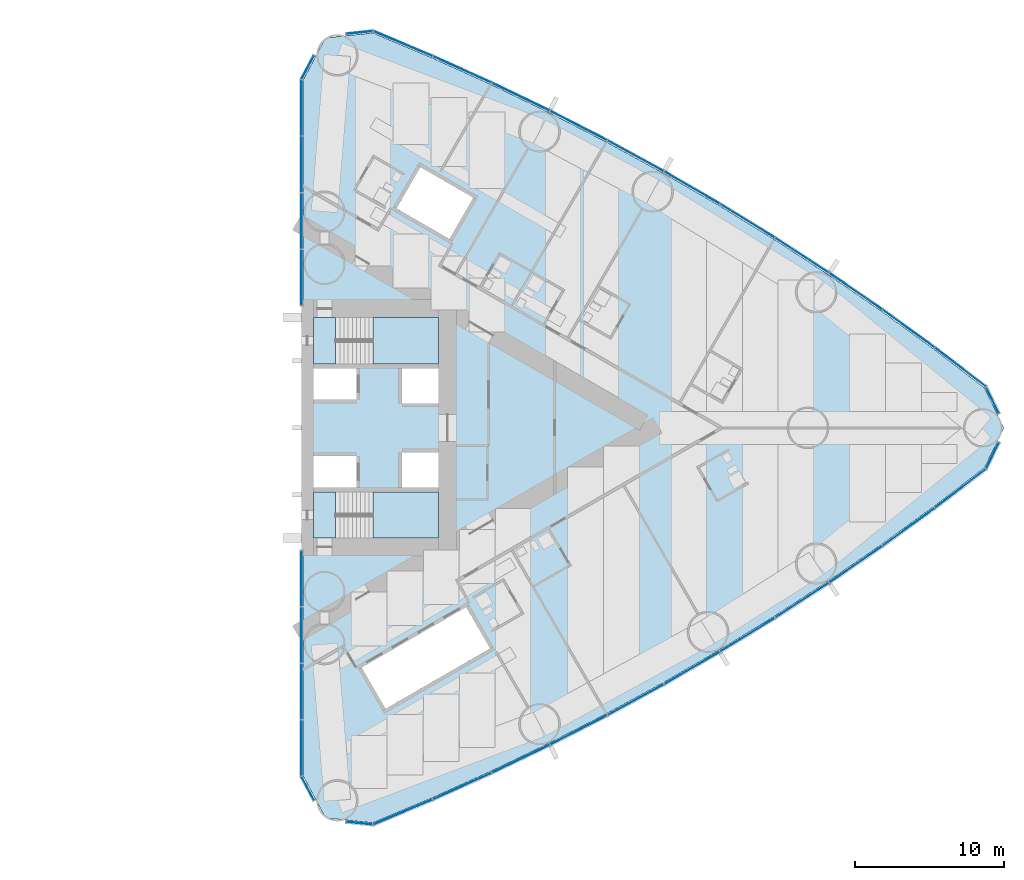
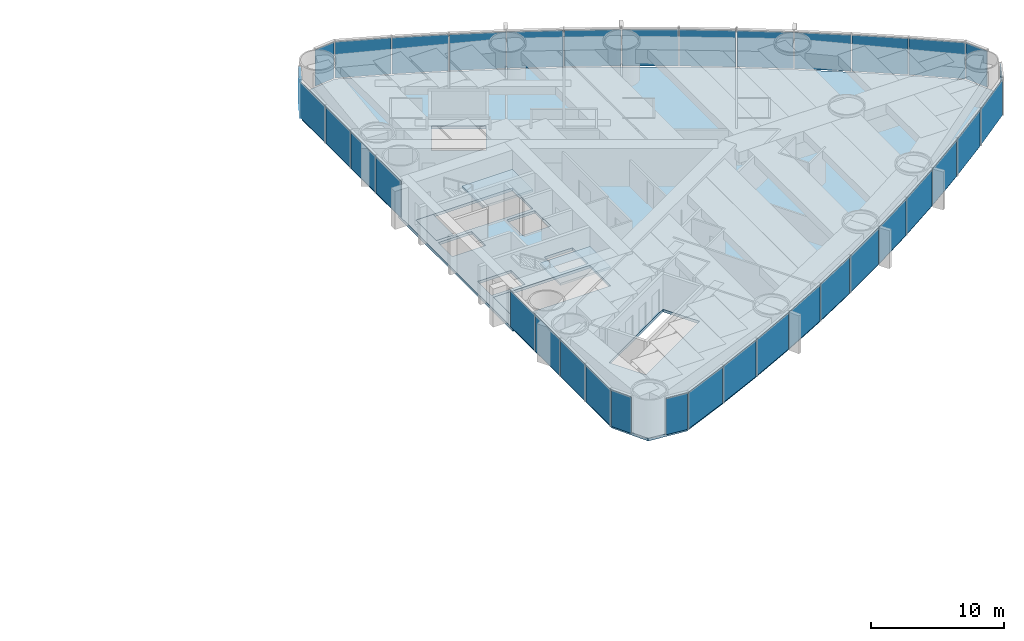
# One storey, part 10 of 18: 36 plates, 5 slabs, 6 elements without a shape of their own.
"""IFC4 building model written with IfcOpenShell, lengths in metres."""

from ifc_helpers import new_model, si_unit, direction, frame, origin, origin_2d, place, context, subcontext, project, spatial, polyline, rectangle, outline, extrude, material, layer, layer_set, type_object, element, aggregate, save


model = new_model("IFC4")

# Units and contexts
model_context = context("Model", 3, precision=1e-05, world=origin(), true_north=direction((0.0, 1.0)))
body_context = subcontext(model_context, "Body", "Model", "MODEL_VIEW")
ifc_project = project(units=[si_unit("LENGTHUNIT", "METRE"), si_unit("AREAUNIT", "SQUARE_METRE"), si_unit("VOLUMEUNIT", "CUBIC_METRE"), si_unit("PLANEANGLEUNIT", "RADIAN"), si_unit("MASSUNIT", "GRAM", prefix="KILO")], contexts=[model_context])

# Site, building, storey
site_placement = place(None, origin())
site = spatial("IfcSite", under=ifc_project, at=site_placement, CompositionType="ELEMENT")
building_placement = place(site_placement, origin())
building = spatial("IfcBuilding", under=site, at=building_placement, Name="Lancet Gate Hotel", CompositionType="ELEMENT")
storey_placement = place(building_placement, frame((0.0, 0.0, 46.0)))
storey = spatial("IfcBuildingStorey", under=building, at=storey_placement, Name="L11", CompositionType="ELEMENT", Elevation=46.0)

# Slab
ifc_material_1 = material(Name="Concrete C50/60", Category="concrete")
ifc_layer_1 = layer(ifc_material_1, 0.25)
ifc_layer_set_1 = layer_set([ifc_layer_1], Name="Floor slab 250")
slab_type_1 = type_object("IfcSlabType", Name="Floor slab 250", PredefinedType="FLOOR", material=ifc_layer_set_1)
slab_1_placement = place(storey_placement, frame((0.0, 0.0, -0.25)))
element("IfcSlab", 1, at=slab_1_placement, inside=storey, type_object=slab_type_1, Name="T2 L11 floor slab", PredefinedType="FLOOR", context=body_context, shape_type="SweptSolid", body=[
    extrude(outline(polyline([(27.5, -8.60009765625), (27.6201171875, -8.60009765625), (27.6201171875, -23.35498046875), (29.12158203125, -26.175537109375), (32.299072265625, -26.5048828125), (36.26708984375, -24.833740234375), (40.2177734375, -23.050048828125), (44.121826171875, -21.16650390625), (47.9765625, -19.18408203125), (51.77978515625, -17.104248046875), (55.528564453125, -14.92822265625), (59.220947265625, -12.657470703125), (62.854248046875, -10.29345703125), (66.42626953125, -7.837890625), (69.934814453125, -5.292236328125), (73.355712890625, -2.67431640625), (74.65576171875, 0.0), (73.355712890625, 2.67431640625), (69.934814453125, 5.292236328125), (66.42626953125, 7.837890625), (62.854248046875, 10.29345703125), (59.220947265625, 12.657470703125), (55.528564453125, 14.92822265625), (51.77978515625, 17.104248046875), (47.9765625, 19.18408203125), (44.121826171875, 21.16650390625), (40.2177734375, 23.050048828125), (36.26708984375, 24.833740234375), (32.299072265625, 26.5048828125), (29.12158203125, 26.175537109375), (27.6201171875, 23.35498046875), (27.6201171875, 8.60009765625), (27.5, 8.60009765625), (27.5, 8.199951171875), (27.5, -8.199951171875), (27.5, -8.60009765625)]), holes=[polyline([(36.699951171875, -7.39990234375), (36.699951171875, -4.300048828125), (28.300048828125, -4.300048828125), (28.300048828125, -7.39990234375), (36.699951171875, -7.39990234375)]), polyline([(28.300048828125, -4.0), (31.199951171875, -4.0), (31.199951171875, -1.89990234375), (28.300048828125, -1.89990234375), (28.300048828125, -4.0)]), polyline([(34.25, -4.0), (36.699951171875, -4.0), (36.699951171875, -1.64990234375), (34.25, -1.64990234375), (34.25, -4.0)]), polyline([(36.699951171875, 1.64990234375), (36.699951171875, 4.0), (34.25, 4.0), (34.25, 1.64990234375), (36.699951171875, 1.64990234375)]), polyline([(28.300048828125, 1.89990234375), (31.199951171875, 1.89990234375), (31.199951171875, 4.0), (28.300048828125, 4.0), (28.300048828125, 1.89990234375)]), polyline([(28.300048828125, 4.300048828125), (36.699951171875, 4.300048828125), (36.699951171875, 7.39990234375), (28.300048828125, 7.39990234375), (28.300048828125, 4.300048828125)]), polyline([(31.549072265625, -16.0810546875), (33.14892578125, -18.85205078125), (40.1640625, -14.802001953125), (38.56396484375, -12.031005859375), (31.549072265625, -16.0810546875)]), polyline([(33.887939453125, 14.73095703125), (37.43798828125, 12.680908203125), (39.0380859375, 15.451904296875), (35.488037109375, 17.501953125), (33.887939453125, 14.73095703125)])]), origin(), (0.0, 0.0, 1.0), 0.25),
])

# Stair, slabs
ifc_material_2 = material(Name="Exit stair 20 risers 1500")
stair_type = type_object("IfcStairType", Name="Exit stair 20 risers 1500", PredefinedType="HALF_TURN_STAIR", material=ifc_material_2)
stair_1_placement = place(storey_placement, origin())
stair_1 = element("IfcStair", 2, at=stair_1_placement, inside=storey, type_object=stair_type, Name="T2 stair 1 L11", PredefinedType="HALF_TURN_STAIR")
ifc_material_3 = material(Name="Concrete C40/50", Category="concrete")
ifc_layer_2 = layer(ifc_material_3, 0.199951171875)
ifc_layer_set_2 = layer_set([ifc_layer_2], Name="Stair landing 200")
slab_type_2 = type_object("IfcSlabType", Name="Stair landing 200", PredefinedType="LANDING", material=ifc_layer_set_2)
slab_2_placement = place(storey_placement, frame((0.0, 0.0, -0.199951171875)))
slab_2 = element("IfcSlab", 3, at=slab_2_placement, type_object=slab_type_2, Name="ST3 landing 1", PredefinedType="LANDING", context=body_context, shape_type="SweptSolid", body=[
    extrude(outline(polyline([(28.300048828125, -7.39990234375), (29.800048828125, -7.39990234375), (29.800048828125, -4.300048828125), (28.300048828125, -4.300048828125), (28.300048828125, -7.39990234375)])), origin(), (0.0, 0.0, 1.0), 0.199951171875),
])
slab_3_placement = place(storey_placement, frame((0.0, 0.0, 1.550048828125)))
slab_3 = element("IfcSlab", 4, at=slab_3_placement, type_object=slab_type_2, Name="ST3 landing 2", PredefinedType="LANDING", context=body_context, shape_type="SweptSolid", body=[
    extrude(outline(polyline([(32.320068359375, -7.39990234375), (36.699951171875, -7.39990234375), (36.699951171875, -4.300048828125), (32.320068359375, -4.300048828125), (32.320068359375, -7.39990234375)])), origin(), (0.0, 0.0, 1.0), 0.199951171875),
])
aggregate(stair_1, [slab_2, slab_3])

stair_2_placement = place(storey_placement, origin())
stair_2 = element("IfcStair", 5, at=stair_2_placement, inside=storey, type_object=stair_type, Name="T2 stair 2 L11", PredefinedType="HALF_TURN_STAIR")
slab_4_placement = place(storey_placement, frame((0.0, 0.0, -0.199951171875)))
slab_4 = element("IfcSlab", 6, at=slab_4_placement, type_object=slab_type_2, Name="ST4 landing 1", PredefinedType="LANDING", context=body_context, shape_type="SweptSolid", body=[
    extrude(outline(polyline([(28.300048828125, 4.300048828125), (29.800048828125, 4.300048828125), (29.800048828125, 7.39990234375), (28.300048828125, 7.39990234375), (28.300048828125, 4.300048828125)])), origin(), (0.0, 0.0, 1.0), 0.199951171875),
])
slab_5_placement = place(storey_placement, frame((0.0, 0.0, 1.550048828125)))
slab_5 = element("IfcSlab", 7, at=slab_5_placement, type_object=slab_type_2, Name="ST4 landing 2", PredefinedType="LANDING", context=body_context, shape_type="SweptSolid", body=[
    extrude(outline(polyline([(32.320068359375, 4.300048828125), (36.699951171875, 4.300048828125), (36.699951171875, 7.39990234375), (32.320068359375, 7.39990234375), (32.320068359375, 4.300048828125)])), origin(), (0.0, 0.0, 1.0), 0.199951171875),
])
aggregate(stair_2, [slab_4, slab_5])

# Curtain wall, plates
ifc_material_4 = material(Name="Aluminium curtain wall", Category="aluminium")
curtain_wall_type = type_object("IfcCurtainWallType", Name="Tower unitised curtain wall", PredefinedType="USERDEFINED", material=ifc_material_4)
curtain_wall_1_placement = place(storey_placement, origin())
curtain_wall_1 = element("IfcCurtainWall", 8, at=curtain_wall_1_placement, inside=storey, type_object=curtain_wall_type, Name="T2 L11 curtain wall 1", ObjectType="UNITISED CURTAIN WALL", PredefinedType="USERDEFINED")
ifc_material_5 = material(Name="Glass double glazed unit 8-16-6", Category="glass")
ifc_layer_3 = layer(ifc_material_5, 0.030029296875)
ifc_layer_set_3 = layer_set([ifc_layer_3], Name="Vision panel double glazed")
plate_type = type_object("IfcPlateType", Name="Vision panel double glazed", PredefinedType="CURTAIN_PANEL", material=ifc_layer_set_3)
plate_1_placement = place(storey_placement, frame((27.5, -10.09814453125, 0.0), z_axis=(0.0, 0.0, 1.0), x_axis=(0.0, -1.0, 0.0)))
plate_1 = element("IfcPlate", 9, at=plate_1_placement, type_object=plate_type, Name="T2 L11 curtain wall 1 panel 1", PredefinedType="CURTAIN_PANEL", context=body_context, shape_type="SweptSolid", body=[
    extrude(rectangle(XDim=3.731201171875, YDim=0.030029296875, at=origin_2d()), origin(), (0.0, 0.0, 1.0), 3.35009765625),
])
plate_2_placement = place(storey_placement, frame((27.5, -13.894287109375, 0.0), z_axis=(0.0, 0.0, 1.0), x_axis=(0.0, -1.0, 0.0)))
plate_2 = element("IfcPlate", 10, at=plate_2_placement, type_object=plate_type, Name="T2 L11 curtain wall 1 panel 2", PredefinedType="CURTAIN_PANEL", context=body_context, shape_type="SweptSolid", body=[
    extrude(rectangle(XDim=3.731201171875, YDim=0.030029296875, at=origin_2d()), origin(), (0.0, 0.0, 1.0), 3.35009765625),
])
plate_3_placement = place(storey_placement, frame((27.5, -17.6904296875, 0.0), z_axis=(0.0, 0.0, 1.0), x_axis=(0.0, -1.0, 0.0)))
plate_3 = element("IfcPlate", 11, at=plate_3_placement, type_object=plate_type, Name="T2 L11 curtain wall 1 panel 3", PredefinedType="CURTAIN_PANEL", context=body_context, shape_type="SweptSolid", body=[
    extrude(rectangle(XDim=3.731201171875, YDim=0.030029296875, at=origin_2d()), origin(), (0.0, 0.0, 1.0), 3.35009765625),
])
plate_4_placement = place(storey_placement, frame((27.5, -21.48681640625, 0.0), z_axis=(0.0, 0.0, 1.0), x_axis=(0.0, -1.0, 0.0)))
plate_4 = element("IfcPlate", 12, at=plate_4_placement, type_object=plate_type, Name="T2 L11 curtain wall 1 panel 4", PredefinedType="CURTAIN_PANEL", context=body_context, shape_type="SweptSolid", body=[
    extrude(rectangle(XDim=3.731201171875, YDim=0.030029296875, at=origin_2d()), origin(), (0.0, 0.0, 1.0), 3.35009765625),
])
plate_5_placement = place(storey_placement, frame((27.933349609375, -24.19873046875, 0.0), z_axis=(0.0, 0.0, 1.0), x_axis=(0.469897827284, -0.882720811987, 0.0)))
plate_5 = element("IfcPlate", 13, at=plate_5_placement, type_object=plate_type, Name="T2 L11 curtain wall 1 panel 5", PredefinedType="CURTAIN_PANEL", context=body_context, shape_type="SweptSolid", body=[
    extrude(rectangle(XDim=1.779052734375, YDim=0.030029296875, at=origin_2d()), origin(), (0.0, 0.0, 1.0), 3.35009765625),
])
aggregate(curtain_wall_1, [plate_1, plate_2, plate_3, plate_4, plate_5])

curtain_wall_2_placement = place(storey_placement, origin())
curtain_wall_2 = element("IfcCurtainWall", 14, at=curtain_wall_2_placement, inside=storey, type_object=curtain_wall_type, Name="T2 L11 curtain wall 2", ObjectType="UNITISED CURTAIN WALL", PredefinedType="USERDEFINED")
plate_6_placement = place(storey_placement, frame((31.400634765625, -26.532470703125, 0.0), z_axis=(0.0, 0.0, 1.0), x_axis=(0.994672262412, -0.10308778001, 0.0)))
plate_6 = element("IfcPlate", 15, at=plate_6_placement, type_object=plate_type, Name="T2 L11 curtain wall 2 panel 1", PredefinedType="CURTAIN_PANEL", context=body_context, shape_type="SweptSolid", body=[
    extrude(rectangle(XDim=1.7783203125, YDim=0.030029296875, at=origin_2d()), origin(), (0.0, 0.0, 1.0), 3.35009765625),
])
plate_7_placement = place(storey_placement, frame((34.316162109375, -25.78564453125, 0.0), z_axis=(0.0, 0.0, 1.0), x_axis=(0.92159330598, 0.38815689917, 0.0)))
plate_7 = element("IfcPlate", 16, at=plate_7_placement, type_object=plate_type, Name="T2 L11 curtain wall 2 panel 2", PredefinedType="CURTAIN_PANEL", context=body_context, shape_type="SweptSolid", body=[
    extrude(rectangle(XDim=4.272705078125, YDim=0.030029296875, at=origin_2d()), origin(), (0.0, 0.0, 1.0), 3.35009765625),
])
plate_8_placement = place(storey_placement, frame((38.291748046875, -24.05126953125, 0.0), z_axis=(0.0, 0.0, 1.0), x_axis=(0.911415640556, 0.41148697446, 0.0)))
plate_8 = element("IfcPlate", 17, at=plate_8_placement, type_object=plate_type, Name="T2 L11 curtain wall 2 panel 3", PredefinedType="CURTAIN_PANEL", context=body_context, shape_type="SweptSolid", body=[
    extrude(rectangle(XDim=4.272705078125, YDim=0.030029296875, at=origin_2d()), origin(), (0.0, 0.0, 1.0), 3.35009765625),
])
plate_9_placement = place(storey_placement, frame((42.221923828125, -22.21630859375, 0.0), z_axis=(0.0, 0.0, 1.0), x_axis=(0.90064748964, 0.434550456686, 0.0)))
plate_9 = element("IfcPlate", 18, at=plate_9_placement, type_object=plate_type, Name="T2 L11 curtain wall 2 panel 4", PredefinedType="CURTAIN_PANEL", context=body_context, shape_type="SweptSolid", body=[
    extrude(rectangle(XDim=4.272705078125, YDim=0.030029296875, at=origin_2d()), origin(), (0.0, 0.0, 1.0), 3.35009765625),
])
plate_10_placement = place(storey_placement, frame((46.10400390625, -20.281982421875, 0.0), z_axis=(0.0, 0.0, 1.0), x_axis=(0.889295829671, 0.457332403541, 0.0)))
plate_10 = element("IfcPlate", 19, at=plate_10_placement, type_object=plate_type, Name="T2 L11 curtain wall 2 panel 5", PredefinedType="CURTAIN_PANEL", context=body_context, shape_type="SweptSolid", body=[
    extrude(rectangle(XDim=4.272705078125, YDim=0.030029296875, at=origin_2d()), origin(), (0.0, 0.0, 1.0), 3.35009765625),
])
plate_11_placement = place(storey_placement, frame((49.935791015625, -18.249267578125, 0.0), z_axis=(0.0, 0.0, 1.0), x_axis=(0.877368015134, 0.47981805512, 0.0)))
plate_11 = element("IfcPlate", 20, at=plate_11_placement, type_object=plate_type, Name="T2 L11 curtain wall 2 panel 6", PredefinedType="CURTAIN_PANEL", context=body_context, shape_type="SweptSolid", body=[
    extrude(rectangle(XDim=4.272705078125, YDim=0.030029296875, at=origin_2d()), origin(), (0.0, 0.0, 1.0), 3.35009765625),
])
plate_12_placement = place(storey_placement, frame((53.71435546875, -16.119873046875, 0.0), z_axis=(0.0, 0.0, 1.0), x_axis=(0.864871773788, 0.501992843479, 0.0)))
plate_12 = element("IfcPlate", 21, at=plate_12_placement, type_object=plate_type, Name="T2 L11 curtain wall 2 panel 7", PredefinedType="CURTAIN_PANEL", context=body_context, shape_type="SweptSolid", body=[
    extrude(rectangle(XDim=4.272705078125, YDim=0.030029296875, at=origin_2d()), origin(), (0.0, 0.0, 1.0), 3.35009765625),
])
plate_13_placement = place(storey_placement, frame((57.437744140625, -13.89501953125, 0.0), z_axis=(0.0, 0.0, 1.0), x_axis=(0.851815201664, 0.523842402077, 0.0)))
plate_13 = element("IfcPlate", 22, at=plate_13_placement, type_object=plate_type, Name="T2 L11 curtain wall 2 panel 8", PredefinedType="CURTAIN_PANEL", context=body_context, shape_type="SweptSolid", body=[
    extrude(rectangle(XDim=4.272705078125, YDim=0.030029296875, at=origin_2d()), origin(), (0.0, 0.0, 1.0), 3.35009765625),
])
plate_14_placement = place(storey_placement, frame((61.10302734375, -11.576171875, 0.0), z_axis=(0.0, 0.0, 1.0), x_axis=(0.838206757819, 0.54535257508, 0.0)))
plate_14 = element("IfcPlate", 23, at=plate_14_placement, type_object=plate_type, Name="T2 L11 curtain wall 2 panel 9", PredefinedType="CURTAIN_PANEL", context=body_context, shape_type="SweptSolid", body=[
    extrude(rectangle(XDim=4.272705078125, YDim=0.030029296875, at=origin_2d()), origin(), (0.0, 0.0, 1.0), 3.35009765625),
])
plate_15_placement = place(storey_placement, frame((64.708251953125, -9.16455078125, 0.0), z_axis=(0.0, 0.0, 1.0), x_axis=(0.824055258853, 0.566509426538, 0.0)))
plate_15 = element("IfcPlate", 24, at=plate_15_placement, type_object=plate_type, Name="T2 L11 curtain wall 2 panel 10", PredefinedType="CURTAIN_PANEL", context=body_context, shape_type="SweptSolid", body=[
    extrude(rectangle(XDim=4.272705078125, YDim=0.030029296875, at=origin_2d()), origin(), (0.0, 0.0, 1.0), 3.35009765625),
])
plate_16_placement = place(storey_placement, frame((68.2509765625, -6.662109375, 0.0), z_axis=(0.0, 0.0, 1.0), x_axis=(0.809369873203, 0.587299249405, 0.0)))
plate_16 = element("IfcPlate", 25, at=plate_16_placement, type_object=plate_type, Name="T2 L11 curtain wall 2 panel 11", PredefinedType="CURTAIN_PANEL", context=body_context, shape_type="SweptSolid", body=[
    extrude(rectangle(XDim=4.272705078125, YDim=0.030029296875, at=origin_2d()), origin(), (0.0, 0.0, 1.0), 3.35009765625),
])
plate_17_placement = place(storey_placement, frame((71.72900390625, -4.0703125, 0.0), z_axis=(0.0, 0.0, 1.0), x_axis=(0.794160115195, 0.607708574428, 0.0)))
plate_17 = element("IfcPlate", 26, at=plate_17_placement, type_object=plate_type, Name="T2 L11 curtain wall 2 panel 12", PredefinedType="CURTAIN_PANEL", context=body_context, shape_type="SweptSolid", body=[
    extrude(rectangle(XDim=4.272705078125, YDim=0.030029296875, at=origin_2d()), origin(), (0.0, 0.0, 1.0), 3.35009765625),
])
plate_18_placement = place(storey_placement, frame((73.88671875, -1.856201171875, 0.0), z_axis=(0.0, 0.0, 1.0), x_axis=(0.437169070119, 0.899379343843, 0.0)))
plate_18 = element("IfcPlate", 27, at=plate_18_placement, type_object=plate_type, Name="T2 L11 curtain wall 2 panel 13", PredefinedType="CURTAIN_PANEL", context=body_context, shape_type="SweptSolid", body=[
    extrude(rectangle(XDim=1.92724609375, YDim=0.030029296875, at=origin_2d()), origin(), (0.0, 0.0, 1.0), 3.35009765625),
])
aggregate(curtain_wall_2, [plate_6, plate_7, plate_8, plate_9, plate_10, plate_11, plate_12, plate_13, plate_14, plate_15, plate_16, plate_17, plate_18])

curtain_wall_3_placement = place(storey_placement, origin())
curtain_wall_3 = element("IfcCurtainWall", 28, at=curtain_wall_3_placement, inside=storey, type_object=curtain_wall_type, Name="T2 L11 curtain wall 3", ObjectType="UNITISED CURTAIN WALL", PredefinedType="USERDEFINED")
plate_19_placement = place(storey_placement, frame((73.88671875, 1.856201171875, 0.0), z_axis=(0.0, 0.0, 1.0), x_axis=(-0.437169070119, 0.899379343843, 0.0)))
plate_19 = element("IfcPlate", 29, at=plate_19_placement, type_object=plate_type, Name="T2 L11 curtain wall 3 panel 1", PredefinedType="CURTAIN_PANEL", context=body_context, shape_type="SweptSolid", body=[
    extrude(rectangle(XDim=1.92724609375, YDim=0.030029296875, at=origin_2d()), origin(), (0.0, 0.0, 1.0), 3.35009765625),
])
plate_20_placement = place(storey_placement, frame((71.72900390625, 4.0703125, 0.0), z_axis=(0.0, 0.0, 1.0), x_axis=(-0.794160115195, 0.607708574428, 0.0)))
plate_20 = element("IfcPlate", 30, at=plate_20_placement, type_object=plate_type, Name="T2 L11 curtain wall 3 panel 2", PredefinedType="CURTAIN_PANEL", context=body_context, shape_type="SweptSolid", body=[
    extrude(rectangle(XDim=4.272705078125, YDim=0.030029296875, at=origin_2d()), origin(), (0.0, 0.0, 1.0), 3.35009765625),
])
plate_21_placement = place(storey_placement, frame((68.2509765625, 6.662109375, 0.0), z_axis=(0.0, 0.0, 1.0), x_axis=(-0.809369873203, 0.587299249405, 0.0)))
plate_21 = element("IfcPlate", 31, at=plate_21_placement, type_object=plate_type, Name="T2 L11 curtain wall 3 panel 3", PredefinedType="CURTAIN_PANEL", context=body_context, shape_type="SweptSolid", body=[
    extrude(rectangle(XDim=4.272705078125, YDim=0.030029296875, at=origin_2d()), origin(), (0.0, 0.0, 1.0), 3.35009765625),
])
plate_22_placement = place(storey_placement, frame((64.708251953125, 9.16455078125, 0.0), z_axis=(0.0, 0.0, 1.0), x_axis=(-0.824055258853, 0.566509426538, 0.0)))
plate_22 = element("IfcPlate", 32, at=plate_22_placement, type_object=plate_type, Name="T2 L11 curtain wall 3 panel 4", PredefinedType="CURTAIN_PANEL", context=body_context, shape_type="SweptSolid", body=[
    extrude(rectangle(XDim=4.272705078125, YDim=0.030029296875, at=origin_2d()), origin(), (0.0, 0.0, 1.0), 3.35009765625),
])
plate_23_placement = place(storey_placement, frame((61.10302734375, 11.576171875, 0.0), z_axis=(0.0, 0.0, 1.0), x_axis=(-0.838206757819, 0.54535257508, 0.0)))
plate_23 = element("IfcPlate", 33, at=plate_23_placement, type_object=plate_type, Name="T2 L11 curtain wall 3 panel 5", PredefinedType="CURTAIN_PANEL", context=body_context, shape_type="SweptSolid", body=[
    extrude(rectangle(XDim=4.272705078125, YDim=0.030029296875, at=origin_2d()), origin(), (0.0, 0.0, 1.0), 3.35009765625),
])
plate_24_placement = place(storey_placement, frame((57.437744140625, 13.89501953125, 0.0), z_axis=(0.0, 0.0, 1.0), x_axis=(-0.851815201664, 0.523842402077, 0.0)))
plate_24 = element("IfcPlate", 34, at=plate_24_placement, type_object=plate_type, Name="T2 L11 curtain wall 3 panel 6", PredefinedType="CURTAIN_PANEL", context=body_context, shape_type="SweptSolid", body=[
    extrude(rectangle(XDim=4.272705078125, YDim=0.030029296875, at=origin_2d()), origin(), (0.0, 0.0, 1.0), 3.35009765625),
])
plate_25_placement = place(storey_placement, frame((53.71435546875, 16.119873046875, 0.0), z_axis=(0.0, 0.0, 1.0), x_axis=(-0.864871773788, 0.501992843479, 0.0)))
plate_25 = element("IfcPlate", 35, at=plate_25_placement, type_object=plate_type, Name="T2 L11 curtain wall 3 panel 7", PredefinedType="CURTAIN_PANEL", context=body_context, shape_type="SweptSolid", body=[
    extrude(rectangle(XDim=4.272705078125, YDim=0.030029296875, at=origin_2d()), origin(), (0.0, 0.0, 1.0), 3.35009765625),
])
plate_26_placement = place(storey_placement, frame((49.935791015625, 18.249267578125, 0.0), z_axis=(0.0, 0.0, 1.0), x_axis=(-0.877368015134, 0.47981805512, 0.0)))
plate_26 = element("IfcPlate", 36, at=plate_26_placement, type_object=plate_type, Name="T2 L11 curtain wall 3 panel 8", PredefinedType="CURTAIN_PANEL", context=body_context, shape_type="SweptSolid", body=[
    extrude(rectangle(XDim=4.272705078125, YDim=0.030029296875, at=origin_2d()), origin(), (0.0, 0.0, 1.0), 3.35009765625),
])
plate_27_placement = place(storey_placement, frame((46.10400390625, 20.281982421875, 0.0), z_axis=(0.0, 0.0, 1.0), x_axis=(-0.889295829671, 0.457332403541, 0.0)))
plate_27 = element("IfcPlate", 37, at=plate_27_placement, type_object=plate_type, Name="T2 L11 curtain wall 3 panel 9", PredefinedType="CURTAIN_PANEL", context=body_context, shape_type="SweptSolid", body=[
    extrude(rectangle(XDim=4.272705078125, YDim=0.030029296875, at=origin_2d()), origin(), (0.0, 0.0, 1.0), 3.35009765625),
])
plate_28_placement = place(storey_placement, frame((42.221923828125, 22.21630859375, 0.0), z_axis=(0.0, 0.0, 1.0), x_axis=(-0.90064748964, 0.434550456686, 0.0)))
plate_28 = element("IfcPlate", 38, at=plate_28_placement, type_object=plate_type, Name="T2 L11 curtain wall 3 panel 10", PredefinedType="CURTAIN_PANEL", context=body_context, shape_type="SweptSolid", body=[
    extrude(rectangle(XDim=4.272705078125, YDim=0.030029296875, at=origin_2d()), origin(), (0.0, 0.0, 1.0), 3.35009765625),
])
plate_29_placement = place(storey_placement, frame((38.291748046875, 24.05126953125, 0.0), z_axis=(0.0, 0.0, 1.0), x_axis=(-0.911415640556, 0.41148697446, 0.0)))
plate_29 = element("IfcPlate", 39, at=plate_29_placement, type_object=plate_type, Name="T2 L11 curtain wall 3 panel 11", PredefinedType="CURTAIN_PANEL", context=body_context, shape_type="SweptSolid", body=[
    extrude(rectangle(XDim=4.272705078125, YDim=0.030029296875, at=origin_2d()), origin(), (0.0, 0.0, 1.0), 3.35009765625),
])
plate_30_placement = place(storey_placement, frame((34.316162109375, 25.78564453125, 0.0), z_axis=(0.0, 0.0, 1.0), x_axis=(-0.92159330598, 0.38815689917, 0.0)))
plate_30 = element("IfcPlate", 40, at=plate_30_placement, type_object=plate_type, Name="T2 L11 curtain wall 3 panel 12", PredefinedType="CURTAIN_PANEL", context=body_context, shape_type="SweptSolid", body=[
    extrude(rectangle(XDim=4.272705078125, YDim=0.030029296875, at=origin_2d()), origin(), (0.0, 0.0, 1.0), 3.35009765625),
])
plate_31_placement = place(storey_placement, frame((31.400634765625, 26.532470703125, 0.0), z_axis=(0.0, 0.0, 1.0), x_axis=(-0.994672262412, -0.10308778001, 0.0)))
plate_31 = element("IfcPlate", 41, at=plate_31_placement, type_object=plate_type, Name="T2 L11 curtain wall 3 panel 13", PredefinedType="CURTAIN_PANEL", context=body_context, shape_type="SweptSolid", body=[
    extrude(rectangle(XDim=1.7783203125, YDim=0.030029296875, at=origin_2d()), origin(), (0.0, 0.0, 1.0), 3.35009765625),
])
aggregate(curtain_wall_3, [plate_19, plate_20, plate_21, plate_22, plate_23, plate_24, plate_25, plate_26, plate_27, plate_28, plate_29, plate_30, plate_31])

curtain_wall_4_placement = place(storey_placement, origin())
curtain_wall_4 = element("IfcCurtainWall", 42, at=curtain_wall_4_placement, inside=storey, type_object=curtain_wall_type, Name="T2 L11 curtain wall 4", ObjectType="UNITISED CURTAIN WALL", PredefinedType="USERDEFINED")
plate_32_placement = place(storey_placement, frame((27.933349609375, 24.19873046875, 0.0), z_axis=(0.0, 0.0, 1.0), x_axis=(-0.469897827284, -0.882720811987, 0.0)))
plate_32 = element("IfcPlate", 43, at=plate_32_placement, type_object=plate_type, Name="T2 L11 curtain wall 4 panel 1", PredefinedType="CURTAIN_PANEL", context=body_context, shape_type="SweptSolid", body=[
    extrude(rectangle(XDim=1.779052734375, YDim=0.030029296875, at=origin_2d()), origin(), (0.0, 0.0, 1.0), 3.35009765625),
])
plate_33_placement = place(storey_placement, frame((27.5, 21.48681640625, 0.0), z_axis=(0.0, 0.0, 1.0), x_axis=(0.0, -1.0, 0.0)))
plate_33 = element("IfcPlate", 44, at=plate_33_placement, type_object=plate_type, Name="T2 L11 curtain wall 4 panel 2", PredefinedType="CURTAIN_PANEL", context=body_context, shape_type="SweptSolid", body=[
    extrude(rectangle(XDim=3.731201171875, YDim=0.030029296875, at=origin_2d()), origin(), (0.0, 0.0, 1.0), 3.35009765625),
])
plate_34_placement = place(storey_placement, frame((27.5, 17.6904296875, 0.0), z_axis=(0.0, 0.0, 1.0), x_axis=(0.0, -1.0, 0.0)))
plate_34 = element("IfcPlate", 45, at=plate_34_placement, type_object=plate_type, Name="T2 L11 curtain wall 4 panel 3", PredefinedType="CURTAIN_PANEL", context=body_context, shape_type="SweptSolid", body=[
    extrude(rectangle(XDim=3.731201171875, YDim=0.030029296875, at=origin_2d()), origin(), (0.0, 0.0, 1.0), 3.35009765625),
])
plate_35_placement = place(storey_placement, frame((27.5, 13.894287109375, 0.0), z_axis=(0.0, 0.0, 1.0), x_axis=(0.0, -1.0, 0.0)))
plate_35 = element("IfcPlate", 46, at=plate_35_placement, type_object=plate_type, Name="T2 L11 curtain wall 4 panel 4", PredefinedType="CURTAIN_PANEL", context=body_context, shape_type="SweptSolid", body=[
    extrude(rectangle(XDim=3.731201171875, YDim=0.030029296875, at=origin_2d()), origin(), (0.0, 0.0, 1.0), 3.35009765625),
])
plate_36_placement = place(storey_placement, frame((27.5, 10.09814453125, 0.0), z_axis=(0.0, 0.0, 1.0), x_axis=(0.0, -1.0, 0.0)))
plate_36 = element("IfcPlate", 47, at=plate_36_placement, type_object=plate_type, Name="T2 L11 curtain wall 4 panel 5", PredefinedType="CURTAIN_PANEL", context=body_context, shape_type="SweptSolid", body=[
    extrude(rectangle(XDim=3.731201171875, YDim=0.030029296875, at=origin_2d()), origin(), (0.0, 0.0, 1.0), 3.35009765625),
])
aggregate(curtain_wall_4, [plate_32, plate_33, plate_34, plate_35, plate_36])

save(model, "model.ifc")
